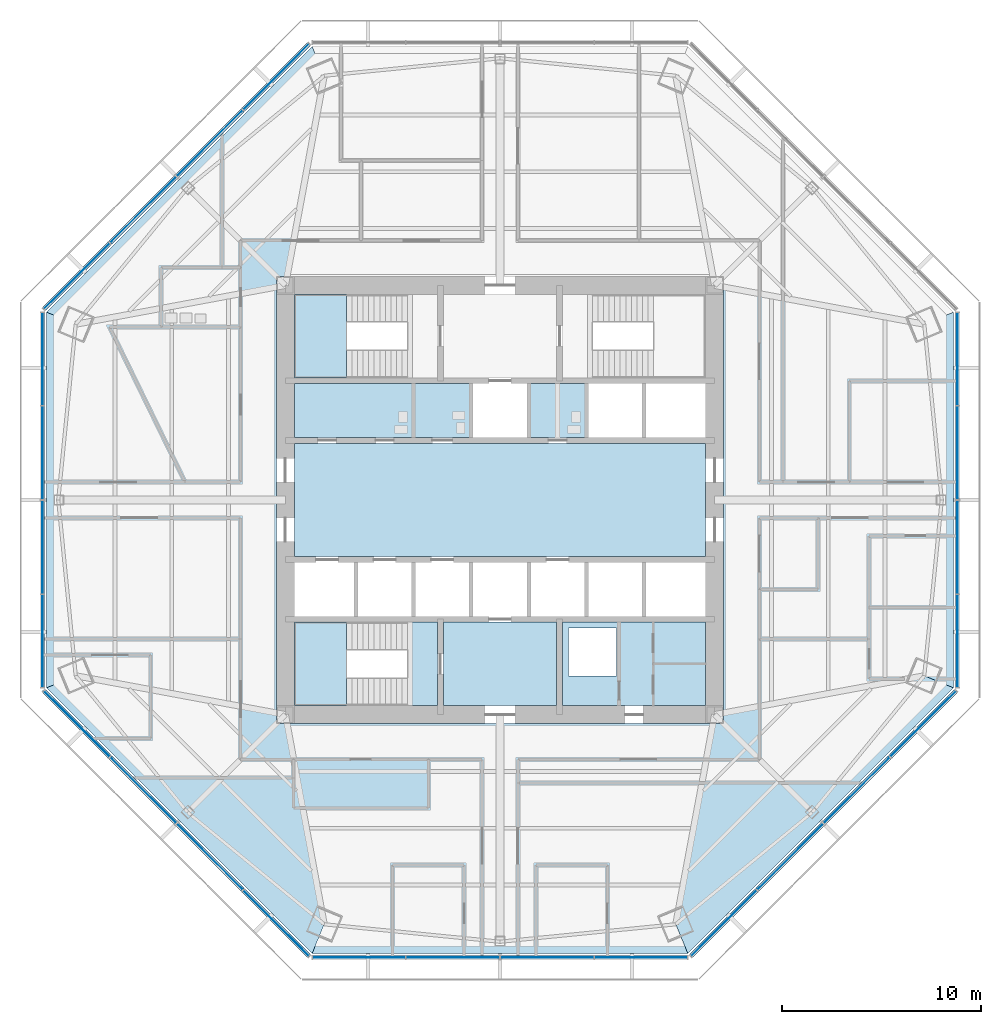
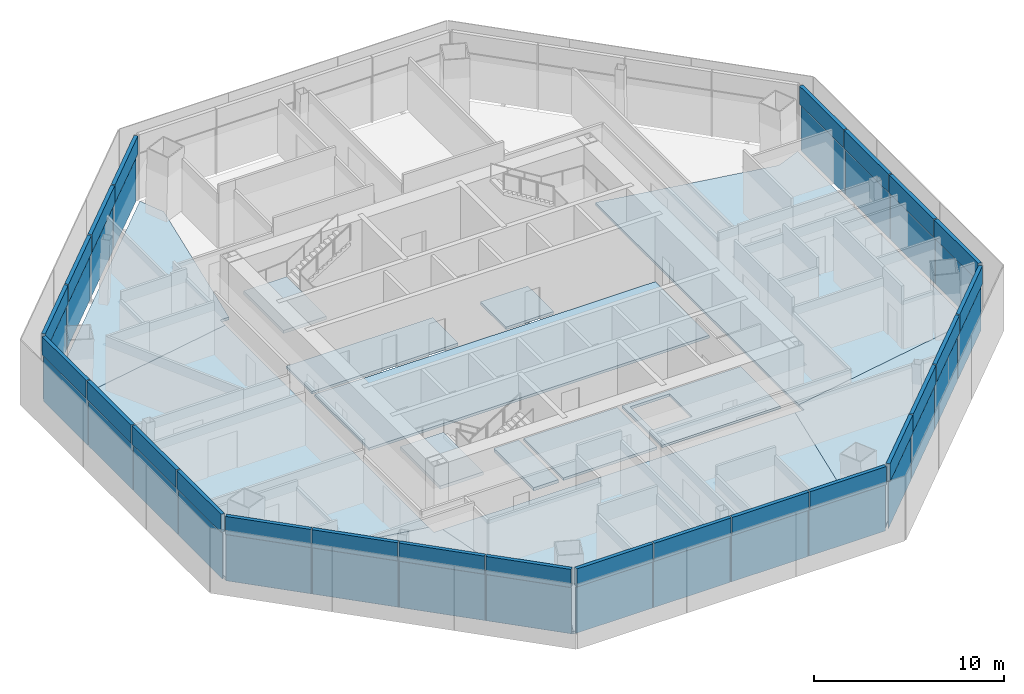
# One storey, part 7 of 15: 48 plates, 14 slabs, 8 elements without a shape of their own.
"""IFC4 building model written with IfcOpenShell, lengths in metres."""

from ifc_helpers import new_model, si_unit, direction, frame, origin, origin_2d, place, context, subcontext, project, spatial, polyline, rectangle, outline, extrude, source, transform, mapped, material, layer, layer_set, type_object, type_shapes, element, aggregate, save


model = new_model("IFC4")

# Units and contexts
model_context = context("Model", 3, precision=1e-05, world=origin(), true_north=direction((0.0, 1.0)))
body_context = subcontext(model_context, "Body", "Model", "MODEL_VIEW")
ifc_project = project(units=[si_unit("LENGTHUNIT", "METRE"), si_unit("AREAUNIT", "SQUARE_METRE"), si_unit("VOLUMEUNIT", "CUBIC_METRE"), si_unit("PLANEANGLEUNIT", "RADIAN"), si_unit("MASSUNIT", "GRAM", prefix="KILO")], contexts=[model_context])

# Site, building, storey
site_placement = place(None, origin())
site = spatial("IfcSite", under=ifc_project, at=site_placement, CompositionType="ELEMENT")
building_placement = place(site_placement, origin())
building = spatial("IfcBuilding", under=site, at=building_placement, Name="Mashrafa Tower", CompositionType="ELEMENT")
storey_placement = place(building_placement, frame((0.0, 0.0, 176.39990234375)))
storey = spatial("IfcBuildingStorey", under=building, at=storey_placement, Name="L40", CompositionType="ELEMENT", Elevation=176.39990234375)

# Slabs
ifc_material_1 = material(Name="Concrete C35/45", Category="concrete")
ifc_layer_1 = layer(ifc_material_1, 0.1650390625)
ifc_layer_set_1 = layer_set([ifc_layer_1], Name="Floor slab 165")
slab_type_1 = type_object("IfcSlabType", Name="Floor slab 165", PredefinedType="FLOOR", material=ifc_layer_set_1)
slab_1_placement = place(storey_placement, frame((0.0, 0.0, -0.164794921875)))
element("IfcSlab", 1, at=slab_1_placement, inside=storey, type_object=slab_type_1, Name="Floor slab L40 east bay", PredefinedType="FLOOR", context=body_context, shape_type="SweptSolid", body=[
    extrude(outline(polyline([(22.82470703125, -9.454345703125), (21.35107421875, -8.843994140625), (11.25, -10.716552734375), (11.25, 10.716552734375), (21.35107421875, 8.843994140625), (22.82470703125, 9.454345703125), (22.82470703125, -9.454345703125)])), origin(), (0.0, 0.0, 1.0), 0.164794921875),
])
slab_2_placement = place(storey_placement, frame((0.0, 0.0, -0.164794921875)))
element("IfcSlab", 2, at=slab_2_placement, inside=storey, type_object=slab_type_1, Name="Floor slab L40 north-west bay", PredefinedType="FLOOR", context=body_context, shape_type="SweptSolid", body=[
    extrude(outline(polyline([(-22.82470703125, 9.454345703125), (-9.454345703125, 22.82470703125), (-9.454345703125, 22.82470703125), (-8.843994140625, 21.35107421875), (-10.716552734375, 11.25), (-11.25, 11.25), (-11.25, 10.716552734375), (-21.35107421875, 8.843994140625), (-22.82470703125, 9.454345703125), (-22.82470703125, 9.454345703125)])), origin(), (0.0, 0.0, 1.0), 0.164794921875),
])
slab_3_placement = place(storey_placement, frame((0.0, 0.0, -0.164794921875)))
element("IfcSlab", 3, at=slab_3_placement, inside=storey, type_object=slab_type_1, Name="Floor slab L40 west bay", PredefinedType="FLOOR", context=body_context, shape_type="SweptSolid", body=[
    extrude(outline(polyline([(-22.82470703125, 9.454345703125), (-21.35107421875, 8.843994140625), (-11.25, 10.716552734375), (-11.25, -10.716552734375), (-21.35107421875, -8.843994140625), (-22.82470703125, -9.454345703125), (-22.82470703125, 9.454345703125)])), origin(), (0.0, 0.0, 1.0), 0.164794921875),
])
slab_4_placement = place(storey_placement, frame((0.0, 0.0, -0.164794921875)))
element("IfcSlab", 4, at=slab_4_placement, inside=storey, type_object=slab_type_1, Name="Floor slab L40 south-west bay", PredefinedType="FLOOR", context=body_context, shape_type="SweptSolid", body=[
    extrude(outline(polyline([(-9.454345703125, -22.82470703125), (-22.82470703125, -9.454345703125), (-22.82470703125, -9.454345703125), (-21.35107421875, -8.843994140625), (-11.25, -10.716552734375), (-11.25, -11.25), (-10.716552734375, -11.25), (-8.843994140625, -21.35107421875), (-9.454345703125, -22.82470703125), (-9.454345703125, -22.82470703125)])), origin(), (0.0, 0.0, 1.0), 0.164794921875),
])
slab_5_placement = place(storey_placement, frame((0.0, 0.0, -0.164794921875)))
element("IfcSlab", 5, at=slab_5_placement, inside=storey, type_object=slab_type_1, Name="Floor slab L40 south bay", PredefinedType="FLOOR", context=body_context, shape_type="SweptSolid", body=[
    extrude(outline(polyline([(-9.454345703125, -22.82470703125), (-8.843994140625, -21.35107421875), (-10.716552734375, -11.25), (10.716552734375, -11.25), (8.843994140625, -21.35107421875), (9.454345703125, -22.82470703125), (-9.454345703125, -22.82470703125)])), origin(), (0.0, 0.0, 1.0), 0.164794921875),
])
slab_6_placement = place(storey_placement, frame((0.0, 0.0, -0.164794921875)))
element("IfcSlab", 6, at=slab_6_placement, inside=storey, type_object=slab_type_1, Name="Floor slab L40 south-east bay", PredefinedType="FLOOR", context=body_context, shape_type="SweptSolid", body=[
    extrude(outline(polyline([(9.454345703125, -22.82470703125), (8.843994140625, -21.35107421875), (10.716552734375, -11.25), (11.25, -11.25), (11.25, -10.716552734375), (21.35107421875, -8.843994140625), (22.82470703125, -9.454345703125), (22.82470703125, -9.454345703125), (9.454345703125, -22.82470703125), (9.454345703125, -22.82470703125)])), origin(), (0.0, 0.0, 1.0), 0.164794921875),
])
slab_7_placement = place(storey_placement, frame((0.0, 0.0, -0.164794921875)))
element("IfcSlab", 7, at=slab_7_placement, inside=storey, type_object=slab_type_1, Name="Core floor lift hall L40", PredefinedType="FLOOR", context=body_context, shape_type="SweptSolid", body=[
    extrude(outline(polyline([(-10.35009765625, 2.85009765625), (10.35009765625, 2.85009765625), (10.35009765625, -2.85009765625), (-10.35009765625, -2.85009765625), (-10.35009765625, 2.85009765625)])), origin(), (0.0, 0.0, 1.0), 0.164794921875),
])
slab_8_placement = place(storey_placement, frame((0.0, 0.0, -0.164794921875)))
element("IfcSlab", 8, at=slab_8_placement, inside=storey, type_object=slab_type_1, Name="Core floor riser and electrical band L40", PredefinedType="FLOOR", context=body_context, shape_type="SweptSolid", body=[
    extrude(outline(polyline([(10.35009765625, -6.14990234375), (10.35009765625, -10.35009765625), (3.14990234375, -10.35009765625), (3.14990234375, -6.14990234375), (10.35009765625, -6.14990234375)]), holes=[polyline([(3.449951171875, -8.85009765625), (5.85009765625, -8.85009765625), (5.85009765625, -6.449951171875), (3.449951171875, -6.449951171875), (3.449951171875, -8.85009765625)])]), origin(), (0.0, 0.0, 1.0), 0.164794921875),
])
slab_9_placement = place(storey_placement, frame((0.0, 0.0, -0.164794921875)))
element("IfcSlab", 9, at=slab_9_placement, inside=storey, type_object=slab_type_1, Name="Core floor lift cell L40", PredefinedType="FLOOR", context=body_context, shape_type="SweptSolid", body=[
    extrude(outline(polyline([(-1.449951171875, 3.14990234375), (-10.35009765625, 3.14990234375), (-10.35009765625, 5.85009765625), (-1.449951171875, 5.85009765625), (-1.449951171875, 3.14990234375)])), origin(), (0.0, 0.0, 1.0), 0.164794921875),
])
slab_10_placement = place(storey_placement, frame((0.0, 0.0, -0.164794921875)))
element("IfcSlab", 10, at=slab_10_placement, inside=storey, type_object=slab_type_1, Name="Core floor fire-fighting lobby south L40", PredefinedType="FLOOR", context=body_context, shape_type="SweptSolid", body=[
    extrude(outline(polyline([(2.85009765625, -6.14990234375), (2.85009765625, -10.35009765625), (-2.85009765625, -10.35009765625), (-2.85009765625, -6.14990234375), (2.85009765625, -6.14990234375)])), origin(), (0.0, 0.0, 1.0), 0.164794921875),
])
slab_11_placement = place(storey_placement, frame((0.0, 0.0, -0.164794921875)))
element("IfcSlab", 11, at=slab_11_placement, inside=storey, type_object=slab_type_1, Name="Core floor lift cell L40", PredefinedType="FLOOR", context=body_context, shape_type="SweptSolid", body=[
    extrude(outline(polyline([(4.35009765625, 5.85009765625), (4.35009765625, 3.14990234375), (1.449951171875, 3.14990234375), (1.449951171875, 5.85009765625), (4.35009765625, 5.85009765625)])), origin(), (0.0, 0.0, 1.0), 0.164794921875),
])

# Stair, slab
ifc_material_2 = material(Name="Exit stair 1400")
stair_type = type_object("IfcStairType", Name="Exit stair 1400", PredefinedType="HALF_TURN_STAIR", material=ifc_material_2)
stair_1_placement = place(storey_placement, origin())
stair_1 = element("IfcStair", 12, at=stair_1_placement, inside=storey, type_object=stair_type, Name="Stair S1 L40", PredefinedType="HALF_TURN_STAIR")
ifc_material_3 = material(Name="Concrete C32/40", Category="concrete")
ifc_layer_2 = layer(ifc_material_3, 0.199951171875)
ifc_layer_set_2 = layer_set([ifc_layer_2], Name="Stair landing 200")
slab_type_2 = type_object("IfcSlabType", Name="Stair landing 200", PredefinedType="LANDING", material=ifc_layer_set_2)
slab_12_placement = place(storey_placement, frame((0.0, 0.0, 1.900146484375)))
slab_12 = element("IfcSlab", 13, at=slab_12_placement, type_object=slab_type_2, Name="S1 landing 2", PredefinedType="LANDING", context=body_context, shape_type="SweptSolid", body=[
    extrude(outline(polyline([(-10.35009765625, 6.14990234375), (-7.719970703125, 6.14990234375), (-7.719970703125, 10.35009765625), (-10.35009765625, 10.35009765625), (-10.35009765625, 6.14990234375)])), origin(), (0.0, 0.0, 1.0), 0.199951171875),
])
aggregate(stair_1, [slab_12])

# Stair, slabs
stair_2_placement = place(storey_placement, origin())
stair_2 = element("IfcStair", 14, at=stair_2_placement, inside=storey, type_object=stair_type, Name="Stair S3 L40", PredefinedType="HALF_TURN_STAIR")
slab_13_placement = place(storey_placement, frame((0.0, 0.0, -0.199951171875)))
slab_13 = element("IfcSlab", 15, at=slab_13_placement, type_object=slab_type_2, Name="S3 landing 1", PredefinedType="LANDING", context=body_context, shape_type="SweptSolid", body=[
    extrude(outline(polyline([(-4.659912109375, -10.35009765625), (-3.14990234375, -10.35009765625), (-3.14990234375, -6.14990234375), (-4.659912109375, -6.14990234375), (-4.659912109375, -10.35009765625)])), origin(), (0.0, 0.0, 1.0), 0.199951171875),
])
slab_14_placement = place(storey_placement, frame((0.0, 0.0, 1.900146484375)))
slab_14 = element("IfcSlab", 16, at=slab_14_placement, type_object=slab_type_2, Name="S3 landing 2", PredefinedType="LANDING", context=body_context, shape_type="SweptSolid", body=[
    extrude(outline(polyline([(-10.35009765625, -10.35009765625), (-7.719970703125, -10.35009765625), (-7.719970703125, -6.14990234375), (-10.35009765625, -6.14990234375), (-10.35009765625, -10.35009765625)])), origin(), (0.0, 0.0, 1.0), 0.199951171875),
])
aggregate(stair_2, [slab_13, slab_14])

# Curtain wall, plates
ifc_material_4 = material(Name="Unitised aluminium curtain wall", Category="aluminium")
curtain_wall_type = type_object("IfcCurtainWallType", Name="Office curtain wall, zone 2 CW-B 225 deep", PredefinedType="NOTDEFINED", material=ifc_material_4)
curtain_wall_1_placement = place(storey_placement, origin())
curtain_wall_1 = element("IfcCurtainWall", 17, at=curtain_wall_1_placement, inside=storey, type_object=curtain_wall_type, Name="Office curtain wall, zone 2 L40 east", PredefinedType="NOTDEFINED")
ifc_material_5 = material(Name="Insulated double glazing, low-e, neutral", Category="glass")
ifc_layer_3 = layer(ifc_material_5, 0.028076171875)
ifc_layer_set_3 = layer_set([ifc_layer_3], Name="Vision panel CW-B 28")
plate_type_1 = type_object("IfcPlateType", Name="Vision panel CW-B 28", PredefinedType="CURTAIN_PANEL", material=ifc_layer_set_3)
shared_shape_1 = source(origin(), body_context, "Body", "SweptSolid", [
    extrude(rectangle(XDim=4.642822265625, YDim=0.028076171875, at=origin_2d()), origin(), (0.0, 0.0, 1.0), 2.9599609375),
])
plate_1_placement = place(storey_placement, frame((23.024658203125, -7.09423828125, 0.0), z_axis=(0.0, 0.0, 1.0), x_axis=(0.0, 1.0, 0.0)))
plate_1 = element("IfcPlate", 18, at=plate_1_placement, type_object=plate_type_1, Name="CW-B vision panel 1", PredefinedType="CURTAIN_PANEL", context=body_context, shape_type="MappedRepresentation", body=[
    mapped(shared_shape_1, transform((0.0, 0.0, 0.0))),
])
plate_2_placement = place(storey_placement, frame((23.024658203125, 7.09423828125, 0.0), z_axis=(0.0, 0.0, 1.0), x_axis=(0.0, 1.0, 0.0)))
plate_2 = element("IfcPlate", 19, at=plate_2_placement, type_object=plate_type_1, Name="CW-B vision panel 4", PredefinedType="CURTAIN_PANEL", context=body_context, shape_type="MappedRepresentation", body=[
    mapped(shared_shape_1, transform((0.0, 0.0, 0.0))),
])

curtain_wall_2_placement = place(storey_placement, origin())
curtain_wall_2 = element("IfcCurtainWall", 20, at=curtain_wall_2_placement, inside=storey, type_object=curtain_wall_type, Name="Office curtain wall, zone 2 L40 north-west", PredefinedType="NOTDEFINED")
plate_3_placement = place(storey_placement, frame((-11.2646484375, 21.297119140625, 0.0), z_axis=(0.0, 0.0, 1.0), x_axis=(-0.707106781187, -0.707106781187, 0.0)))
plate_3 = element("IfcPlate", 21, at=plate_3_placement, type_object=plate_type_1, Name="CW-B vision panel 1", PredefinedType="CURTAIN_PANEL", context=body_context, shape_type="MappedRepresentation", body=[
    mapped(shared_shape_1, transform((0.0, 0.0, 0.0))),
])
plate_4_placement = place(storey_placement, frame((-21.297119140625, 11.2646484375, 0.0), z_axis=(0.0, 0.0, 1.0), x_axis=(-0.707106781187, -0.707106781187, 0.0)))
plate_4 = element("IfcPlate", 22, at=plate_4_placement, type_object=plate_type_1, Name="CW-B vision panel 4", PredefinedType="CURTAIN_PANEL", context=body_context, shape_type="MappedRepresentation", body=[
    mapped(shared_shape_1, transform((0.0, 0.0, 0.0))),
])

curtain_wall_3_placement = place(storey_placement, origin())
curtain_wall_3 = element("IfcCurtainWall", 23, at=curtain_wall_3_placement, inside=storey, type_object=curtain_wall_type, Name="Office curtain wall, zone 2 L40 west", PredefinedType="NOTDEFINED")
plate_5_placement = place(storey_placement, frame((-23.024658203125, 7.09423828125, 0.0), z_axis=(0.0, 0.0, 1.0), x_axis=(0.0, -1.0, 0.0)))
plate_5 = element("IfcPlate", 24, at=plate_5_placement, type_object=plate_type_1, Name="CW-B vision panel 1", PredefinedType="CURTAIN_PANEL", context=body_context, shape_type="MappedRepresentation", body=[
    mapped(shared_shape_1, transform((0.0, 0.0, 0.0))),
])
plate_6_placement = place(storey_placement, frame((-23.024658203125, -7.09423828125, 0.0), z_axis=(0.0, 0.0, 1.0), x_axis=(0.0, -1.0, 0.0)))
plate_6 = element("IfcPlate", 25, at=plate_6_placement, type_object=plate_type_1, Name="CW-B vision panel 4", PredefinedType="CURTAIN_PANEL", context=body_context, shape_type="MappedRepresentation", body=[
    mapped(shared_shape_1, transform((0.0, 0.0, 0.0))),
])

curtain_wall_4_placement = place(storey_placement, origin())
curtain_wall_4 = element("IfcCurtainWall", 26, at=curtain_wall_4_placement, inside=storey, type_object=curtain_wall_type, Name="Office curtain wall, zone 2 L40 south-west", PredefinedType="NOTDEFINED")
plate_7_placement = place(storey_placement, frame((-21.297119140625, -11.2646484375, 0.0), z_axis=(0.0, 0.0, 1.0), x_axis=(0.707106781187, -0.707106781187, 0.0)))
plate_7 = element("IfcPlate", 27, at=plate_7_placement, type_object=plate_type_1, Name="CW-B vision panel 1", PredefinedType="CURTAIN_PANEL", context=body_context, shape_type="MappedRepresentation", body=[
    mapped(shared_shape_1, transform((0.0, 0.0, 0.0))),
])
plate_8_placement = place(storey_placement, frame((-11.2646484375, -21.297119140625, 0.0), z_axis=(0.0, 0.0, 1.0), x_axis=(0.707106781187, -0.707106781187, 0.0)))
plate_8 = element("IfcPlate", 28, at=plate_8_placement, type_object=plate_type_1, Name="CW-B vision panel 4", PredefinedType="CURTAIN_PANEL", context=body_context, shape_type="MappedRepresentation", body=[
    mapped(shared_shape_1, transform((0.0, 0.0, 0.0))),
])

curtain_wall_5_placement = place(storey_placement, origin())
curtain_wall_5 = element("IfcCurtainWall", 29, at=curtain_wall_5_placement, inside=storey, type_object=curtain_wall_type, Name="Office curtain wall, zone 2 L40 south", PredefinedType="NOTDEFINED")
plate_9_placement = place(storey_placement, frame((-7.09423828125, -23.024658203125, 0.0), z_axis=(0.0, 0.0, 1.0), x_axis=(1.0, 0.0, 0.0)))
plate_9 = element("IfcPlate", 30, at=plate_9_placement, type_object=plate_type_1, Name="CW-B vision panel 1", PredefinedType="CURTAIN_PANEL", context=body_context, shape_type="MappedRepresentation", body=[
    mapped(shared_shape_1, transform((0.0, 0.0, 0.0))),
])
plate_10_placement = place(storey_placement, frame((7.09423828125, -23.024658203125, 0.0), z_axis=(0.0, 0.0, 1.0), x_axis=(1.0, 0.0, 0.0)))
plate_10 = element("IfcPlate", 31, at=plate_10_placement, type_object=plate_type_1, Name="CW-B vision panel 4", PredefinedType="CURTAIN_PANEL", context=body_context, shape_type="MappedRepresentation", body=[
    mapped(shared_shape_1, transform((0.0, 0.0, 0.0))),
])

curtain_wall_6_placement = place(storey_placement, origin())
curtain_wall_6 = element("IfcCurtainWall", 32, at=curtain_wall_6_placement, inside=storey, type_object=curtain_wall_type, Name="Office curtain wall, zone 2 L40 south-east", PredefinedType="NOTDEFINED")
plate_11_placement = place(storey_placement, frame((11.2646484375, -21.297119140625, 0.0), z_axis=(0.0, 0.0, 1.0), x_axis=(0.707106781187, 0.707106781187, 0.0)))
plate_11 = element("IfcPlate", 33, at=plate_11_placement, type_object=plate_type_1, Name="CW-B vision panel 1", PredefinedType="CURTAIN_PANEL", context=body_context, shape_type="MappedRepresentation", body=[
    mapped(shared_shape_1, transform((0.0, 0.0, 0.0))),
])
plate_12_placement = place(storey_placement, frame((21.297119140625, -11.2646484375, 0.0), z_axis=(0.0, 0.0, 1.0), x_axis=(0.707106781187, 0.707106781187, 0.0)))
plate_12 = element("IfcPlate", 34, at=plate_12_placement, type_object=plate_type_1, Name="CW-B vision panel 4", PredefinedType="CURTAIN_PANEL", context=body_context, shape_type="MappedRepresentation", body=[
    mapped(shared_shape_1, transform((0.0, 0.0, 0.0))),
])

# Plate
ifc_material_6 = material(Name="Insulated aluminium spandrel panel", Category="aluminium")
ifc_layer_4 = layer(ifc_material_6, 0.219970703125)
ifc_layer_set_4 = layer_set([ifc_layer_4], Name="Spandrel panel CW-B 220")
plate_type_2 = type_object("IfcPlateType", Name="Spandrel panel CW-B 220", PredefinedType="CURTAIN_PANEL", material=ifc_layer_set_4)
shared_shape_2 = source(origin(), body_context, "Body", "SweptSolid", [
    extrude(rectangle(XDim=4.642822265625, YDim=0.219970703125, at=origin_2d()), origin(), (0.0, 0.0, 1.0), 1.159912109375),
])
plate_13_placement = place(storey_placement, frame((23.024658203125, -7.09423828125, 3.0400390625), z_axis=(0.0, 0.0, 1.0), x_axis=(0.0, 1.0, 0.0)))
plate_13 = element("IfcPlate", 35, at=plate_13_placement, type_object=plate_type_2, Name="CW-B spandrel panel 1", PredefinedType="CURTAIN_PANEL", context=body_context, shape_type="MappedRepresentation", body=[
    mapped(shared_shape_2, transform((0.0, 0.0, 0.0))),
])

plate_14_placement = place(storey_placement, frame((23.024658203125, 7.09423828125, 3.0400390625), z_axis=(0.0, 0.0, 1.0), x_axis=(0.0, 1.0, 0.0)))
plate_14 = element("IfcPlate", 36, at=plate_14_placement, type_object=plate_type_2, Name="CW-B spandrel panel 4", PredefinedType="CURTAIN_PANEL", context=body_context, shape_type="MappedRepresentation", body=[
    mapped(shared_shape_2, transform((0.0, 0.0, 0.0))),
])

plate_15_placement = place(storey_placement, frame((-11.2646484375, 21.297119140625, 3.0400390625), z_axis=(0.0, 0.0, 1.0), x_axis=(-0.707106781187, -0.707106781187, 0.0)))
plate_15 = element("IfcPlate", 37, at=plate_15_placement, type_object=plate_type_2, Name="CW-B spandrel panel 1", PredefinedType="CURTAIN_PANEL", context=body_context, shape_type="MappedRepresentation", body=[
    mapped(shared_shape_2, transform((0.0, 0.0, 0.0))),
])

plate_16_placement = place(storey_placement, frame((-21.297119140625, 11.2646484375, 3.0400390625), z_axis=(0.0, 0.0, 1.0), x_axis=(-0.707106781187, -0.707106781187, 0.0)))
plate_16 = element("IfcPlate", 38, at=plate_16_placement, type_object=plate_type_2, Name="CW-B spandrel panel 4", PredefinedType="CURTAIN_PANEL", context=body_context, shape_type="MappedRepresentation", body=[
    mapped(shared_shape_2, transform((0.0, 0.0, 0.0))),
])

plate_17_placement = place(storey_placement, frame((-23.024658203125, 7.09423828125, 3.0400390625), z_axis=(0.0, 0.0, 1.0), x_axis=(0.0, -1.0, 0.0)))
plate_17 = element("IfcPlate", 39, at=plate_17_placement, type_object=plate_type_2, Name="CW-B spandrel panel 1", PredefinedType="CURTAIN_PANEL", context=body_context, shape_type="MappedRepresentation", body=[
    mapped(shared_shape_2, transform((0.0, 0.0, 0.0))),
])

plate_18_placement = place(storey_placement, frame((-23.024658203125, -7.09423828125, 3.0400390625), z_axis=(0.0, 0.0, 1.0), x_axis=(0.0, -1.0, 0.0)))
plate_18 = element("IfcPlate", 40, at=plate_18_placement, type_object=plate_type_2, Name="CW-B spandrel panel 4", PredefinedType="CURTAIN_PANEL", context=body_context, shape_type="MappedRepresentation", body=[
    mapped(shared_shape_2, transform((0.0, 0.0, 0.0))),
])

plate_19_placement = place(storey_placement, frame((-21.297119140625, -11.2646484375, 3.0400390625), z_axis=(0.0, 0.0, 1.0), x_axis=(0.707106781187, -0.707106781187, 0.0)))
plate_19 = element("IfcPlate", 41, at=plate_19_placement, type_object=plate_type_2, Name="CW-B spandrel panel 1", PredefinedType="CURTAIN_PANEL", context=body_context, shape_type="MappedRepresentation", body=[
    mapped(shared_shape_2, transform((0.0, 0.0, 0.0))),
])

plate_20_placement = place(storey_placement, frame((-11.2646484375, -21.297119140625, 3.0400390625), z_axis=(0.0, 0.0, 1.0), x_axis=(0.707106781187, -0.707106781187, 0.0)))
plate_20 = element("IfcPlate", 42, at=plate_20_placement, type_object=plate_type_2, Name="CW-B spandrel panel 4", PredefinedType="CURTAIN_PANEL", context=body_context, shape_type="MappedRepresentation", body=[
    mapped(shared_shape_2, transform((0.0, 0.0, 0.0))),
])

plate_21_placement = place(storey_placement, frame((-7.09423828125, -23.024658203125, 3.0400390625), z_axis=(0.0, 0.0, 1.0), x_axis=(1.0, 0.0, 0.0)))
plate_21 = element("IfcPlate", 43, at=plate_21_placement, type_object=plate_type_2, Name="CW-B spandrel panel 1", PredefinedType="CURTAIN_PANEL", context=body_context, shape_type="MappedRepresentation", body=[
    mapped(shared_shape_2, transform((0.0, 0.0, 0.0))),
])

plate_22_placement = place(storey_placement, frame((7.09423828125, -23.024658203125, 3.0400390625), z_axis=(0.0, 0.0, 1.0), x_axis=(1.0, 0.0, 0.0)))
plate_22 = element("IfcPlate", 44, at=plate_22_placement, type_object=plate_type_2, Name="CW-B spandrel panel 4", PredefinedType="CURTAIN_PANEL", context=body_context, shape_type="MappedRepresentation", body=[
    mapped(shared_shape_2, transform((0.0, 0.0, 0.0))),
])

plate_23_placement = place(storey_placement, frame((11.2646484375, -21.297119140625, 3.0400390625), z_axis=(0.0, 0.0, 1.0), x_axis=(0.707106781187, 0.707106781187, 0.0)))
plate_23 = element("IfcPlate", 45, at=plate_23_placement, type_object=plate_type_2, Name="CW-B spandrel panel 1", PredefinedType="CURTAIN_PANEL", context=body_context, shape_type="MappedRepresentation", body=[
    mapped(shared_shape_2, transform((0.0, 0.0, 0.0))),
])

plate_24_placement = place(storey_placement, frame((21.297119140625, -11.2646484375, 3.0400390625), z_axis=(0.0, 0.0, 1.0), x_axis=(0.707106781187, 0.707106781187, 0.0)))
plate_24 = element("IfcPlate", 46, at=plate_24_placement, type_object=plate_type_2, Name="CW-B spandrel panel 4", PredefinedType="CURTAIN_PANEL", context=body_context, shape_type="MappedRepresentation", body=[
    mapped(shared_shape_2, transform((0.0, 0.0, 0.0))),
])

shared_shape_3 = source(origin(), body_context, "Body", "SweptSolid", [
    extrude(rectangle(XDim=4.67529296875, YDim=0.028076171875, at=origin_2d()), origin(), (0.0, 0.0, 1.0), 2.9599609375),
])
type_shapes(plate_type_1, [shared_shape_1, shared_shape_3])
plate_25_placement = place(storey_placement, frame((23.024658203125, -2.3701171875, 0.0), z_axis=(0.0, 0.0, 1.0), x_axis=(0.0, 1.0, 0.0)))
plate_25 = element("IfcPlate", 47, at=plate_25_placement, type_object=plate_type_1, Name="CW-B vision panel 2", PredefinedType="CURTAIN_PANEL", context=body_context, shape_type="MappedRepresentation", body=[
    mapped(shared_shape_3, transform((0.0, 0.0, 0.0))),
])

plate_26_placement = place(storey_placement, frame((23.024658203125, 2.3701171875, 0.0), z_axis=(0.0, 0.0, 1.0), x_axis=(0.0, 1.0, 0.0)))
plate_26 = element("IfcPlate", 48, at=plate_26_placement, type_object=plate_type_1, Name="CW-B vision panel 3", PredefinedType="CURTAIN_PANEL", context=body_context, shape_type="MappedRepresentation", body=[
    mapped(shared_shape_3, transform((0.0, 0.0, 0.0))),
])

plate_27_placement = place(storey_placement, frame((-14.60498046875, 17.956787109375, 0.0), z_axis=(0.0, 0.0, 1.0), x_axis=(-0.707106781187, -0.707106781187, 0.0)))
plate_27 = element("IfcPlate", 49, at=plate_27_placement, type_object=plate_type_1, Name="CW-B vision panel 2", PredefinedType="CURTAIN_PANEL", context=body_context, shape_type="MappedRepresentation", body=[
    mapped(shared_shape_3, transform((0.0, 0.0, 0.0))),
])

plate_28_placement = place(storey_placement, frame((-17.956787109375, 14.60498046875, 0.0), z_axis=(0.0, 0.0, 1.0), x_axis=(-0.707106781187, -0.707106781187, 0.0)))
plate_28 = element("IfcPlate", 50, at=plate_28_placement, type_object=plate_type_1, Name="CW-B vision panel 3", PredefinedType="CURTAIN_PANEL", context=body_context, shape_type="MappedRepresentation", body=[
    mapped(shared_shape_3, transform((0.0, 0.0, 0.0))),
])

plate_29_placement = place(storey_placement, frame((-23.024658203125, 2.3701171875, 0.0), z_axis=(0.0, 0.0, 1.0), x_axis=(0.0, -1.0, 0.0)))
plate_29 = element("IfcPlate", 51, at=plate_29_placement, type_object=plate_type_1, Name="CW-B vision panel 2", PredefinedType="CURTAIN_PANEL", context=body_context, shape_type="MappedRepresentation", body=[
    mapped(shared_shape_3, transform((0.0, 0.0, 0.0))),
])

plate_30_placement = place(storey_placement, frame((-23.024658203125, -2.3701171875, 0.0), z_axis=(0.0, 0.0, 1.0), x_axis=(0.0, -1.0, 0.0)))
plate_30 = element("IfcPlate", 52, at=plate_30_placement, type_object=plate_type_1, Name="CW-B vision panel 3", PredefinedType="CURTAIN_PANEL", context=body_context, shape_type="MappedRepresentation", body=[
    mapped(shared_shape_3, transform((0.0, 0.0, 0.0))),
])

plate_31_placement = place(storey_placement, frame((-17.956787109375, -14.60498046875, 0.0), z_axis=(0.0, 0.0, 1.0), x_axis=(0.707106781187, -0.707106781187, 0.0)))
plate_31 = element("IfcPlate", 53, at=plate_31_placement, type_object=plate_type_1, Name="CW-B vision panel 2", PredefinedType="CURTAIN_PANEL", context=body_context, shape_type="MappedRepresentation", body=[
    mapped(shared_shape_3, transform((0.0, 0.0, 0.0))),
])

plate_32_placement = place(storey_placement, frame((-14.60498046875, -17.956787109375, 0.0), z_axis=(0.0, 0.0, 1.0), x_axis=(0.707106781187, -0.707106781187, 0.0)))
plate_32 = element("IfcPlate", 54, at=plate_32_placement, type_object=plate_type_1, Name="CW-B vision panel 3", PredefinedType="CURTAIN_PANEL", context=body_context, shape_type="MappedRepresentation", body=[
    mapped(shared_shape_3, transform((0.0, 0.0, 0.0))),
])

plate_33_placement = place(storey_placement, frame((-2.3701171875, -23.024658203125, 0.0), z_axis=(0.0, 0.0, 1.0), x_axis=(1.0, 0.0, 0.0)))
plate_33 = element("IfcPlate", 55, at=plate_33_placement, type_object=plate_type_1, Name="CW-B vision panel 2", PredefinedType="CURTAIN_PANEL", context=body_context, shape_type="MappedRepresentation", body=[
    mapped(shared_shape_3, transform((0.0, 0.0, 0.0))),
])

plate_34_placement = place(storey_placement, frame((2.3701171875, -23.024658203125, 0.0), z_axis=(0.0, 0.0, 1.0), x_axis=(1.0, 0.0, 0.0)))
plate_34 = element("IfcPlate", 56, at=plate_34_placement, type_object=plate_type_1, Name="CW-B vision panel 3", PredefinedType="CURTAIN_PANEL", context=body_context, shape_type="MappedRepresentation", body=[
    mapped(shared_shape_3, transform((0.0, 0.0, 0.0))),
])

plate_35_placement = place(storey_placement, frame((14.60498046875, -17.956787109375, 0.0), z_axis=(0.0, 0.0, 1.0), x_axis=(0.707106781187, 0.707106781187, 0.0)))
plate_35 = element("IfcPlate", 57, at=plate_35_placement, type_object=plate_type_1, Name="CW-B vision panel 2", PredefinedType="CURTAIN_PANEL", context=body_context, shape_type="MappedRepresentation", body=[
    mapped(shared_shape_3, transform((0.0, 0.0, 0.0))),
])

plate_36_placement = place(storey_placement, frame((17.956787109375, -14.60498046875, 0.0), z_axis=(0.0, 0.0, 1.0), x_axis=(0.707106781187, 0.707106781187, 0.0)))
plate_36 = element("IfcPlate", 58, at=plate_36_placement, type_object=plate_type_1, Name="CW-B vision panel 3", PredefinedType="CURTAIN_PANEL", context=body_context, shape_type="MappedRepresentation", body=[
    mapped(shared_shape_3, transform((0.0, 0.0, 0.0))),
])

shared_shape_4 = source(origin(), body_context, "Body", "SweptSolid", [
    extrude(rectangle(XDim=4.67529296875, YDim=0.219970703125, at=origin_2d()), origin(), (0.0, 0.0, 1.0), 1.159912109375),
])
type_shapes(plate_type_2, [shared_shape_2, shared_shape_4])
plate_37_placement = place(storey_placement, frame((23.024658203125, -2.3701171875, 3.0400390625), z_axis=(0.0, 0.0, 1.0), x_axis=(0.0, 1.0, 0.0)))
plate_37 = element("IfcPlate", 59, at=plate_37_placement, type_object=plate_type_2, Name="CW-B spandrel panel 2", PredefinedType="CURTAIN_PANEL", context=body_context, shape_type="MappedRepresentation", body=[
    mapped(shared_shape_4, transform((0.0, 0.0, 0.0))),
])

plate_38_placement = place(storey_placement, frame((23.024658203125, 2.3701171875, 3.0400390625), z_axis=(0.0, 0.0, 1.0), x_axis=(0.0, 1.0, 0.0)))
plate_38 = element("IfcPlate", 60, at=plate_38_placement, type_object=plate_type_2, Name="CW-B spandrel panel 3", PredefinedType="CURTAIN_PANEL", context=body_context, shape_type="MappedRepresentation", body=[
    mapped(shared_shape_4, transform((0.0, 0.0, 0.0))),
])

aggregate(curtain_wall_1, [plate_1, plate_13, plate_25, plate_37, plate_26, plate_38, plate_2, plate_14])

plate_39_placement = place(storey_placement, frame((-14.60498046875, 17.956787109375, 3.0400390625), z_axis=(0.0, 0.0, 1.0), x_axis=(-0.707106781187, -0.707106781187, 0.0)))
plate_39 = element("IfcPlate", 61, at=plate_39_placement, type_object=plate_type_2, Name="CW-B spandrel panel 2", PredefinedType="CURTAIN_PANEL", context=body_context, shape_type="MappedRepresentation", body=[
    mapped(shared_shape_4, transform((0.0, 0.0, 0.0))),
])

plate_40_placement = place(storey_placement, frame((-17.956787109375, 14.60498046875, 3.0400390625), z_axis=(0.0, 0.0, 1.0), x_axis=(-0.707106781187, -0.707106781187, 0.0)))
plate_40 = element("IfcPlate", 62, at=plate_40_placement, type_object=plate_type_2, Name="CW-B spandrel panel 3", PredefinedType="CURTAIN_PANEL", context=body_context, shape_type="MappedRepresentation", body=[
    mapped(shared_shape_4, transform((0.0, 0.0, 0.0))),
])

aggregate(curtain_wall_2, [plate_3, plate_15, plate_27, plate_39, plate_28, plate_40, plate_4, plate_16])

plate_41_placement = place(storey_placement, frame((-23.024658203125, 2.3701171875, 3.0400390625), z_axis=(0.0, 0.0, 1.0), x_axis=(0.0, -1.0, 0.0)))
plate_41 = element("IfcPlate", 63, at=plate_41_placement, type_object=plate_type_2, Name="CW-B spandrel panel 2", PredefinedType="CURTAIN_PANEL", context=body_context, shape_type="MappedRepresentation", body=[
    mapped(shared_shape_4, transform((0.0, 0.0, 0.0))),
])

plate_42_placement = place(storey_placement, frame((-23.024658203125, -2.3701171875, 3.0400390625), z_axis=(0.0, 0.0, 1.0), x_axis=(0.0, -1.0, 0.0)))
plate_42 = element("IfcPlate", 64, at=plate_42_placement, type_object=plate_type_2, Name="CW-B spandrel panel 3", PredefinedType="CURTAIN_PANEL", context=body_context, shape_type="MappedRepresentation", body=[
    mapped(shared_shape_4, transform((0.0, 0.0, 0.0))),
])

aggregate(curtain_wall_3, [plate_5, plate_17, plate_29, plate_41, plate_30, plate_42, plate_6, plate_18])

plate_43_placement = place(storey_placement, frame((-17.956787109375, -14.60498046875, 3.0400390625), z_axis=(0.0, 0.0, 1.0), x_axis=(0.707106781187, -0.707106781187, 0.0)))
plate_43 = element("IfcPlate", 65, at=plate_43_placement, type_object=plate_type_2, Name="CW-B spandrel panel 2", PredefinedType="CURTAIN_PANEL", context=body_context, shape_type="MappedRepresentation", body=[
    mapped(shared_shape_4, transform((0.0, 0.0, 0.0))),
])

plate_44_placement = place(storey_placement, frame((-14.60498046875, -17.956787109375, 3.0400390625), z_axis=(0.0, 0.0, 1.0), x_axis=(0.707106781187, -0.707106781187, 0.0)))
plate_44 = element("IfcPlate", 66, at=plate_44_placement, type_object=plate_type_2, Name="CW-B spandrel panel 3", PredefinedType="CURTAIN_PANEL", context=body_context, shape_type="MappedRepresentation", body=[
    mapped(shared_shape_4, transform((0.0, 0.0, 0.0))),
])

aggregate(curtain_wall_4, [plate_7, plate_19, plate_31, plate_43, plate_32, plate_44, plate_8, plate_20])

plate_45_placement = place(storey_placement, frame((-2.3701171875, -23.024658203125, 3.0400390625), z_axis=(0.0, 0.0, 1.0), x_axis=(1.0, 0.0, 0.0)))
plate_45 = element("IfcPlate", 67, at=plate_45_placement, type_object=plate_type_2, Name="CW-B spandrel panel 2", PredefinedType="CURTAIN_PANEL", context=body_context, shape_type="MappedRepresentation", body=[
    mapped(shared_shape_4, transform((0.0, 0.0, 0.0))),
])

plate_46_placement = place(storey_placement, frame((2.3701171875, -23.024658203125, 3.0400390625), z_axis=(0.0, 0.0, 1.0), x_axis=(1.0, 0.0, 0.0)))
plate_46 = element("IfcPlate", 68, at=plate_46_placement, type_object=plate_type_2, Name="CW-B spandrel panel 3", PredefinedType="CURTAIN_PANEL", context=body_context, shape_type="MappedRepresentation", body=[
    mapped(shared_shape_4, transform((0.0, 0.0, 0.0))),
])

aggregate(curtain_wall_5, [plate_9, plate_21, plate_33, plate_45, plate_34, plate_46, plate_10, plate_22])

plate_47_placement = place(storey_placement, frame((14.60498046875, -17.956787109375, 3.0400390625), z_axis=(0.0, 0.0, 1.0), x_axis=(0.707106781187, 0.707106781187, 0.0)))
plate_47 = element("IfcPlate", 69, at=plate_47_placement, type_object=plate_type_2, Name="CW-B spandrel panel 2", PredefinedType="CURTAIN_PANEL", context=body_context, shape_type="MappedRepresentation", body=[
    mapped(shared_shape_4, transform((0.0, 0.0, 0.0))),
])

plate_48_placement = place(storey_placement, frame((17.956787109375, -14.60498046875, 3.0400390625), z_axis=(0.0, 0.0, 1.0), x_axis=(0.707106781187, 0.707106781187, 0.0)))
plate_48 = element("IfcPlate", 70, at=plate_48_placement, type_object=plate_type_2, Name="CW-B spandrel panel 3", PredefinedType="CURTAIN_PANEL", context=body_context, shape_type="MappedRepresentation", body=[
    mapped(shared_shape_4, transform((0.0, 0.0, 0.0))),
])

aggregate(curtain_wall_6, [plate_11, plate_23, plate_35, plate_47, plate_36, plate_48, plate_12, plate_24])

save(model, "model.ifc")
